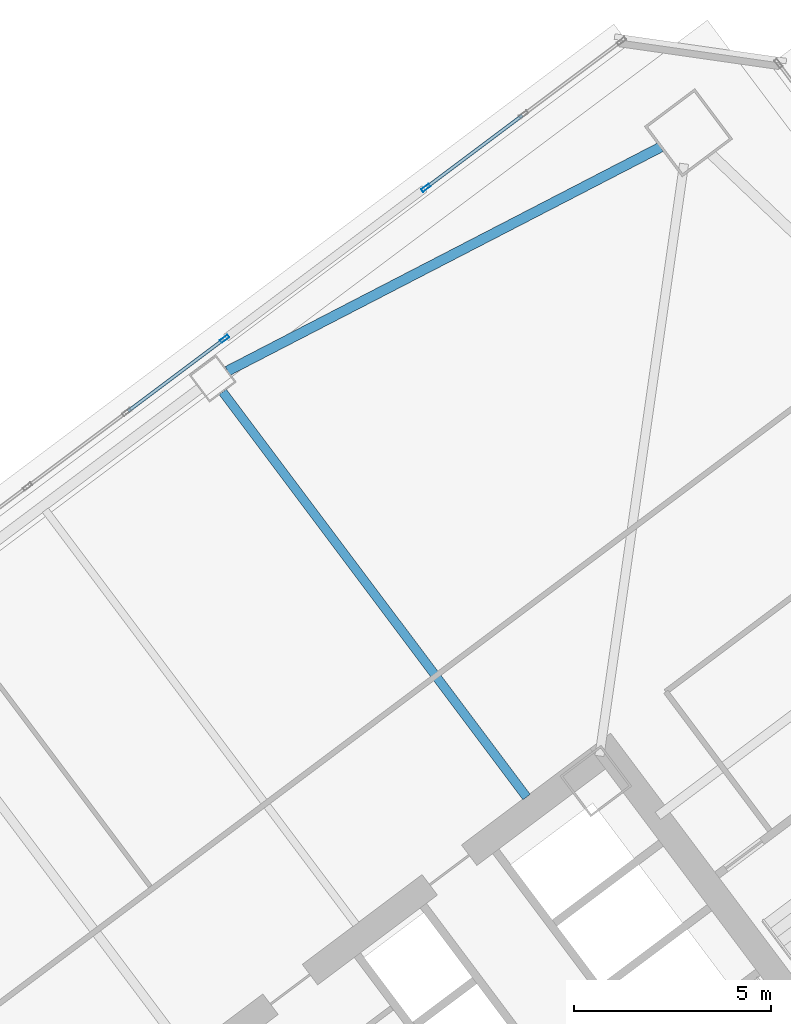
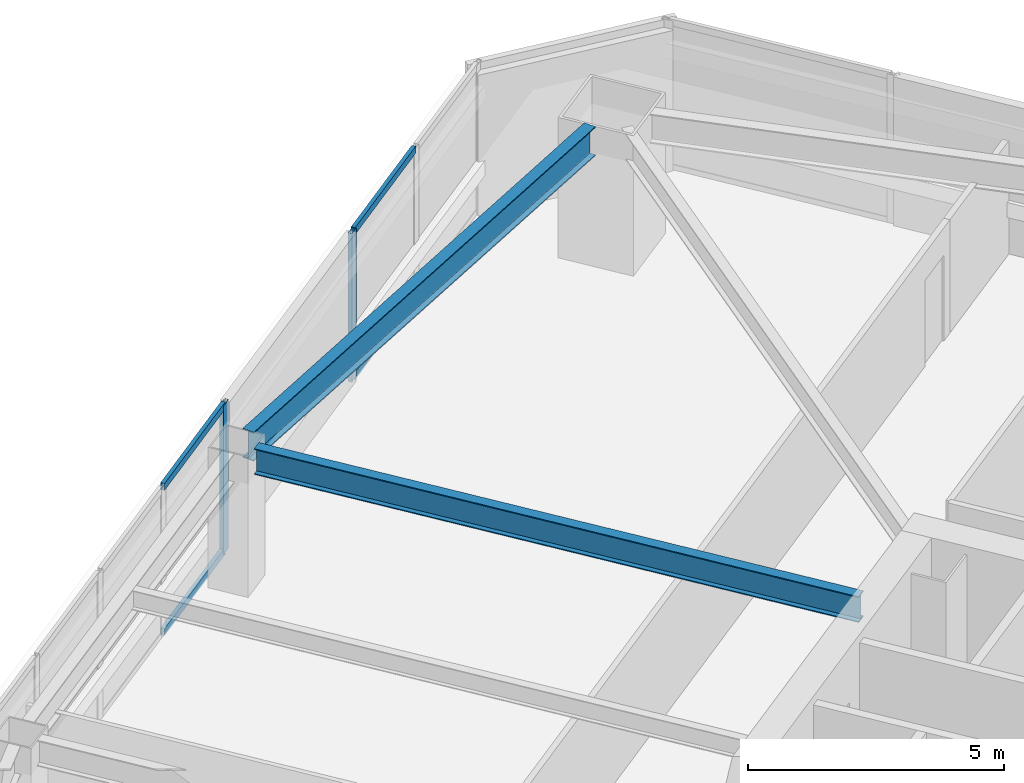
# One storey, part 30 of 47: 6 members, 2 beams, 2 elements without a shape of their own.
"""IFC4 building model written with IfcOpenShell, lengths in metres."""

from ifc_helpers import new_model, si_unit, direction, frame, origin, origin_2d, place, context, subcontext, project, spatial, hollow_rectangle, i_section, extrude, material, material_profile, profile_set, type_object, element, aggregate, save


model = new_model("IFC4")

# Units and contexts
model_context = context("Model", 3, precision=1e-05, world=origin(), true_north=direction((0.0, 1.0)))
body_context = subcontext(model_context, "Body", "Model", "MODEL_VIEW")
ifc_project = project(units=[si_unit("LENGTHUNIT", "METRE"), si_unit("AREAUNIT", "SQUARE_METRE"), si_unit("VOLUMEUNIT", "CUBIC_METRE"), si_unit("PLANEANGLEUNIT", "RADIAN"), si_unit("MASSUNIT", "GRAM", prefix="KILO")], contexts=[model_context])

# Site, building, storey
site_placement = place(None, origin())
site = spatial("IfcSite", under=ifc_project, at=site_placement, CompositionType="ELEMENT")
building_placement = place(site_placement, origin())
building = spatial("IfcBuilding", under=site, at=building_placement, Name="Tashvorn Skyway Center", CompositionType="ELEMENT")
storey_placement = place(building_placement, frame((0.0, 0.0, 42.35009765625)))
storey = spatial("IfcBuildingStorey", under=building, at=storey_placement, Name="L10", CompositionType="ELEMENT", Elevation=42.35009765625)

# Beams
ifc_material_1 = material(Name="Steel ASTM A992 Grade 50", Category="steel")
ifc_material_profile_1 = material_profile(ifc_material_1, i_section(OverallWidth=0.22998046875, OverallDepth=0.616943359375, WebThickness=0.01318359375, FlangeThickness=0.022216796875, at=origin_2d()), Name="W24X94")
ifc_profile_set_1 = profile_set([ifc_material_profile_1], Name="Steel ASTM A992 Grade 50")
beam_type_1 = type_object("IfcBeamType", Name="BM-BEAM-W24X94", PredefinedType="BEAM", material=ifc_profile_set_1)
beam_1_placement = place(storey_placement, frame((105.94189453125, 51.743896484375, 3.04150390625), z_axis=(0.600018239213, -0.799986320265, 0.0), x_axis=(0.799986320265, 0.600018239213, 0.0)))
element("IfcBeam", 1, at=beam_1_placement, inside=storey, type_object=beam_type_1, Name="Tower 2 L10 Primary Floor Girder FC-N1", PredefinedType="BEAM", context=body_context, shape_type="SweptSolid", body=[
    extrude(i_section(OverallWidth=0.22998046875, OverallDepth=0.616943359375, WebThickness=0.01318359375, FlangeThickness=0.022216796875, at=origin_2d()), origin(), (0.0, 0.0, 1.0), 12.849853515625),
])
ifc_material_profile_2 = material_profile(ifc_material_1, i_section(OverallWidth=0.256103515625, OverallDepth=0.693115234375, WebThickness=0.014404296875, FlangeThickness=0.023681640625, at=origin_2d()), Name="W27X114")
ifc_profile_set_2 = profile_set([ifc_material_profile_2], Name="Steel ASTM A992 Grade 50")
beam_type_2 = type_object("IfcBeamType", Name="BM-SPANDREL-W27X114", PredefinedType="SPANDREL", material=ifc_profile_set_2)
beam_2_placement = place(storey_placement, frame((117.0537109375, 57.954833984375, 3.00341796875), z_axis=(-0.888315637339, -0.459233413919, 0.0), x_axis=(0.459233413919, -0.888315637339, 0.0)))
element("IfcBeam", 2, at=beam_2_placement, inside=storey, type_object=beam_type_2, Name="Tower 2 L10 Spandrel Beam 07", PredefinedType="SPANDREL", context=body_context, shape_type="SweptSolid", body=[
    extrude(i_section(OverallWidth=0.256103515625, OverallDepth=0.693115234375, WebThickness=0.014404296875, FlangeThickness=0.023681640625, at=origin_2d()), origin(), (0.0, 0.0, 1.0), 12.37255859375),
])

# Curtain wall, member
ifc_material_2 = material(Name="Thermally broken bronze-anodized aluminium 6063-T6", Category="aluminium")
curtain_wall_type = type_object("IfcCurtainWallType", Name="CW-CW-Z1", PredefinedType="NOTDEFINED", material=ifc_material_2)
curtain_wall_1_placement = place(storey_placement, origin())
curtain_wall_1 = element("IfcCurtainWall", 3, at=curtain_wall_1_placement, inside=storey, type_object=curtain_wall_type, Name="Tower 2 L10 North Unitised Curtain Wall Glazing Group 2", PredefinedType="NOTDEFINED")
ifc_material_profile_3 = material_profile(ifc_material_2, hollow_rectangle(XDim=0.0849609375, YDim=0.239990234375, WallThickness=0.0048828125, at=origin_2d()), Name="ALU-MULL-85x240")
ifc_profile_set_3 = profile_set([ifc_material_profile_3], Name="Thermally broken bronze-anodized aluminium 6063-T6")
member_type_1 = type_object("IfcMemberType", Name="CWM-CW-Z1", PredefinedType="MULLION", material=ifc_profile_set_3)
member_1_placement = place(storey_placement, frame((105.99267578125, 53.094482421875, 0.0), z_axis=(0.0, 0.0, 1.0), x_axis=(-0.599997457641, 0.800001906763, 0.0)))
member_1 = element("IfcMember", 4, at=member_1_placement, type_object=member_type_1, Name="CW-Z1 mullion 5", PredefinedType="MULLION", context=body_context, shape_type="SweptSolid", body=[
    extrude(hollow_rectangle(XDim=0.0849609375, YDim=0.239990234375, WallThickness=0.0048828125, at=origin_2d()), origin(), (0.0, 0.0, 1.0), 3.5498046875),
])

curtain_wall_2_placement = place(storey_placement, origin())
curtain_wall_2 = element("IfcCurtainWall", 5, at=curtain_wall_2_placement, inside=storey, type_object=curtain_wall_type, Name="Tower 2 L10 North Unitised Curtain Wall Glazing Group 3", PredefinedType="NOTDEFINED")
member_2_placement = place(storey_placement, frame((111.09521484375, 56.92138671875, 0.0), z_axis=(0.0, 0.0, 1.0), x_axis=(-0.599997457641, 0.800001906763, 0.0)))
member_2 = element("IfcMember", 6, at=member_2_placement, type_object=member_type_1, Name="CW-Z1 mullion 1", PredefinedType="MULLION", context=body_context, shape_type="SweptSolid", body=[
    extrude(hollow_rectangle(XDim=0.0849609375, YDim=0.239990234375, WallThickness=0.0048828125, at=origin_2d()), origin(), (0.0, 0.0, 1.0), 3.5498046875),
])

# Member
ifc_material_profile_4 = material_profile(ifc_material_2, hollow_rectangle(XDim=0.0849609375, YDim=0.1650390625, WallThickness=0.0048828125, at=origin_2d()), Name="ALU-TRAN-85x165")
ifc_profile_set_4 = profile_set([ifc_material_profile_4], Name="Thermally broken bronze-anodized aluminium 6063-T6")
member_type_2 = type_object("IfcMemberType", Name="CWT-CW-Z1", PredefinedType="USERDEFINED", material=ifc_profile_set_4)
member_3_placement = place(storey_placement, frame((103.54345703125, 51.257568359375, 0.04248046875), z_axis=(0.799990296182, 0.600012938206, 0.0), x_axis=(-0.600012938206, 0.799990296182, 0.0)))
member_3 = element("IfcMember", 7, at=member_3_placement, type_object=member_type_2, Name="CW-Z1 transom 4.1", ObjectType="TRANSOM", PredefinedType="USERDEFINED", context=body_context, shape_type="SweptSolid", body=[
    extrude(hollow_rectangle(XDim=0.0849609375, YDim=0.1650390625, WallThickness=0.0048828125, at=origin_2d()), origin(), (0.0, 0.0, 1.0), 3.01904296875),
])

member_4_placement = place(storey_placement, frame((103.54345703125, 51.257568359375, 3.50732421875), z_axis=(0.799990296182, 0.600012938206, 0.0), x_axis=(-0.600012938206, 0.799990296182, 0.0)))
member_4 = element("IfcMember", 8, at=member_4_placement, type_object=member_type_2, Name="CW-Z1 transom 4.2", ObjectType="TRANSOM", PredefinedType="USERDEFINED", context=body_context, shape_type="SweptSolid", body=[
    extrude(hollow_rectangle(XDim=0.0849609375, YDim=0.1650390625, WallThickness=0.0048828125, at=origin_2d()), origin(), (0.0, 0.0, 1.0), 3.01904296875),
])

aggregate(curtain_wall_1, [member_1, member_3, member_4])

member_5_placement = place(storey_placement, frame((111.12939453125, 56.947021484375, 0.04248046875), z_axis=(0.799990296182, 0.600012938206, 0.0), x_axis=(-0.600012938206, 0.799990296182, 0.0)))
member_5 = element("IfcMember", 9, at=member_5_placement, type_object=member_type_2, Name="CW-Z1 transom 1.1", ObjectType="TRANSOM", PredefinedType="USERDEFINED", context=body_context, shape_type="SweptSolid", body=[
    extrude(hollow_rectangle(XDim=0.0849609375, YDim=0.1650390625, WallThickness=0.0048828125, at=origin_2d()), origin(), (0.0, 0.0, 1.0), 3.01904296875),
])

member_6_placement = place(storey_placement, frame((111.12939453125, 56.947021484375, 3.50732421875), z_axis=(0.799990296182, 0.600012938206, 0.0), x_axis=(-0.600012938206, 0.799990296182, 0.0)))
member_6 = element("IfcMember", 10, at=member_6_placement, type_object=member_type_2, Name="CW-Z1 transom 1.2", ObjectType="TRANSOM", PredefinedType="USERDEFINED", context=body_context, shape_type="SweptSolid", body=[
    extrude(hollow_rectangle(XDim=0.0849609375, YDim=0.1650390625, WallThickness=0.0048828125, at=origin_2d()), origin(), (0.0, 0.0, 1.0), 3.01904296875),
])

aggregate(curtain_wall_2, [member_2, member_5, member_6])

save(model, "model.ifc")
